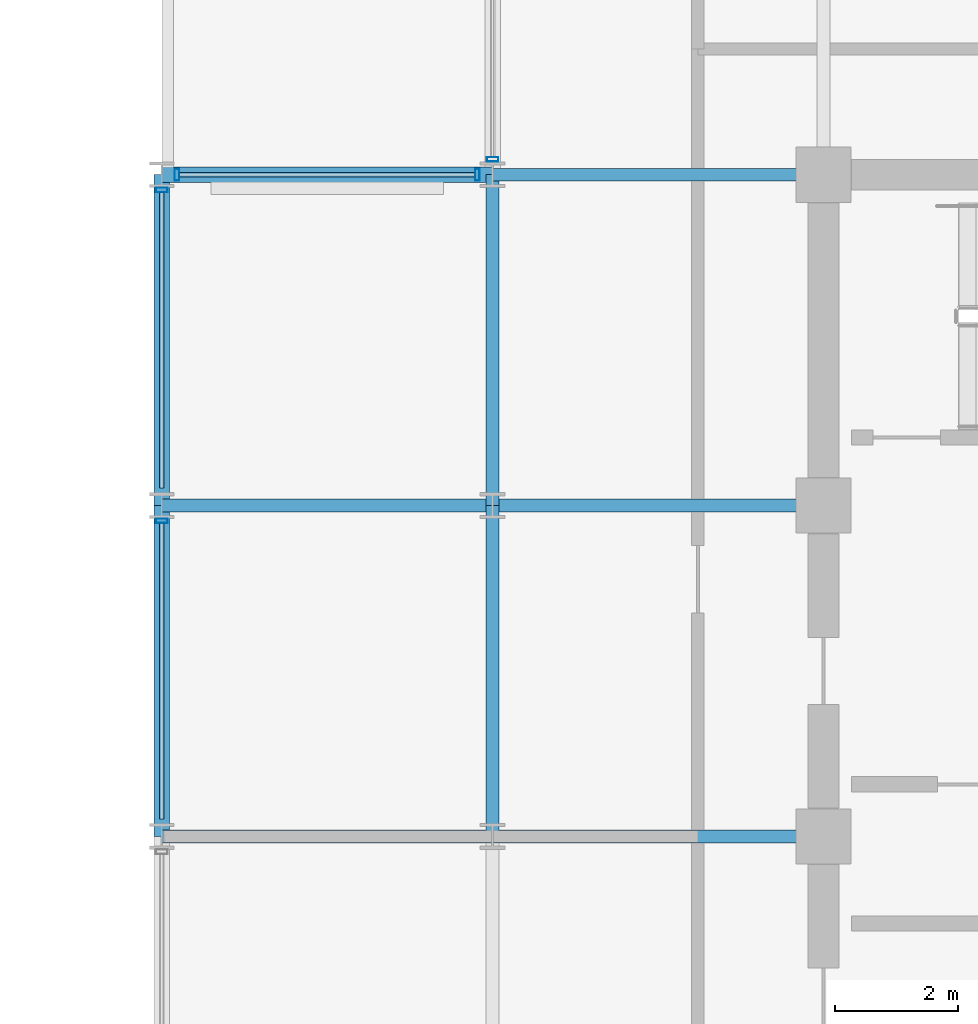
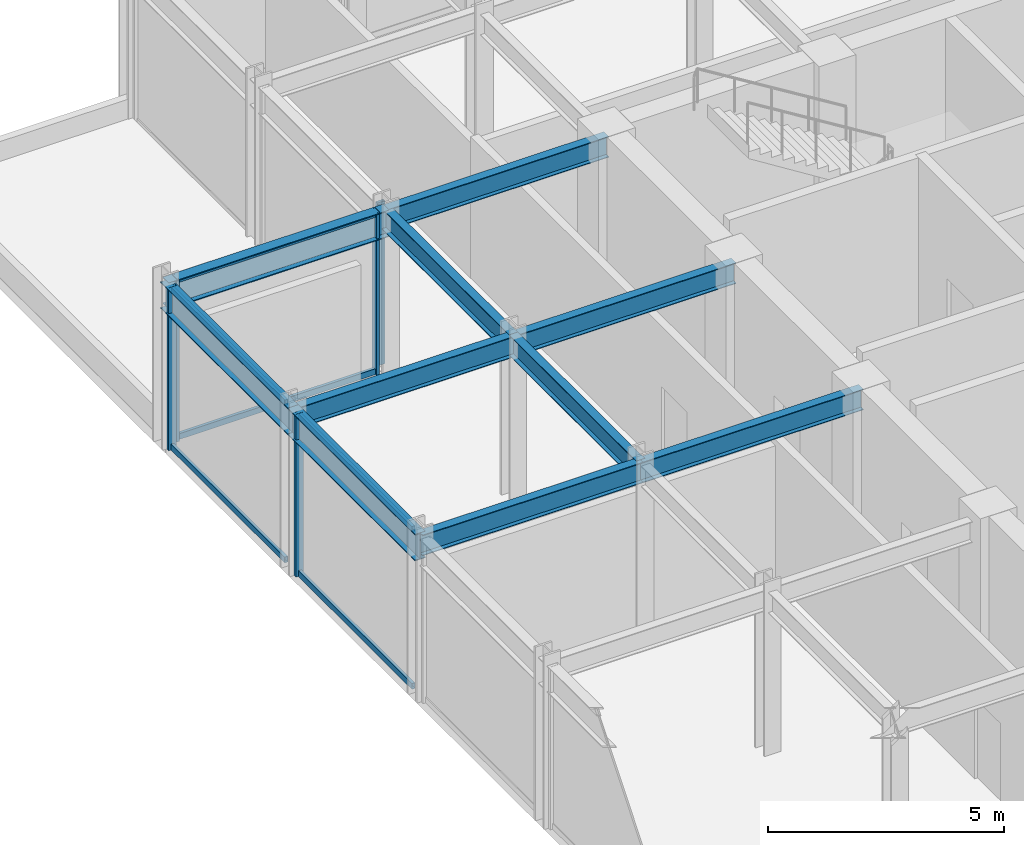
# One storey, part 6 of 22: 11 members, 10 beams, 3 elements without a shape of their own.
"""IFC4 building model written with IfcOpenShell, lengths in metres."""

from ifc_helpers import new_model, si_unit, direction, frame, origin, origin_2d, place, context, subcontext, project, spatial, hollow_rectangle, i_section, extrude, material, layer, layer_set, material_profile, profile_set, type_object, element, aggregate, save


model = new_model("IFC4")

# Units and contexts
model_context = context("Model", 3, precision=1e-05, world=origin(), true_north=direction((0.0, 1.0)))
body_context = subcontext(model_context, "Body", "Model", "MODEL_VIEW")
ifc_project = project(units=[si_unit("LENGTHUNIT", "METRE"), si_unit("AREAUNIT", "SQUARE_METRE"), si_unit("VOLUMEUNIT", "CUBIC_METRE"), si_unit("PLANEANGLEUNIT", "RADIAN"), si_unit("MASSUNIT", "GRAM", prefix="KILO")], contexts=[model_context])

# Site, building, storey
site_placement = place(None, origin())
site = spatial("IfcSite", under=ifc_project, at=site_placement, CompositionType="ELEMENT")
building_placement = place(site_placement, origin())
building = spatial("IfcBuilding", under=site, at=building_placement, Name="Surkhivell Harbour Commons", CompositionType="ELEMENT")
storey_placement = place(building_placement, frame((0.0, 0.0, 342.0)))
storey = spatial("IfcBuildingStorey", under=building, at=storey_placement, Name="L89", CompositionType="ELEMENT", Elevation=342.0)

# Beams
ifc_material_1 = material(Name="Steel S355", Category="steel")
ifc_material_profile_1 = material_profile(ifc_material_1, i_section(OverallWidth=0.2099609375, OverallDepth=0.537109375, WebThickness=0.0107421875, FlangeThickness=0.017333984375, at=origin_2d()), Name="UB533x210x101")
ifc_profile_set_1 = profile_set([ifc_material_profile_1], Name="Steel S355")
beam_type_1 = type_object("IfcBeamType", Name="BM-GRD-533B", PredefinedType="BEAM", material=ifc_profile_set_1)
for number, where, z_axis, x_axis, name in (
    (1, (-21.60009765625, 0.0, 3.951416015625), (1.0, 0.0, 0.0), (0.0, 1.0, 0.0), "L89 Floor Girder (-21.6,0.0)"),
    (2, (-21.60009765625, 5.39990234375, 3.951416015625), (1.0, 0.0, 0.0), (0.0, 1.0, 0.0), "L89 Floor Girder (-21.6,5.4)"),
):
    element("IfcBeam", number, at=place(storey_placement, frame(where, z_axis=z_axis, x_axis=x_axis)), inside=storey, type_object=beam_type_1, Name=name, PredefinedType="BEAM", context=body_context, shape_type="SweptSolid", body=[
        extrude(i_section(OverallWidth=0.2099609375, OverallDepth=0.537109375, WebThickness=0.0107421875, FlangeThickness=0.017333984375, at=origin_2d()), origin(), (0.0, 0.0, 1.0), 5.400146484375),
    ])
for number, where, z_axis, x_axis, name in (
    (3, (-16.199951171875, 0.0, 3.951416015625), (0.0, 1.0, 0.0), (-1.0, 0.0, 0.0), "L89 Floor Girder (-16.2,0.0)"),
    (4, (-16.199951171875, 0.0, 3.951416015625), (1.0, 0.0, 0.0), (0.0, 1.0, 0.0), "L89 Floor Girder (-16.2,0.0)"),
):
    element("IfcBeam", number, at=place(storey_placement, frame(where, z_axis=z_axis, x_axis=x_axis)), inside=storey, type_object=beam_type_1, Name=name, PredefinedType="BEAM", context=body_context, shape_type="SweptSolid", body=[
        extrude(i_section(OverallWidth=0.2099609375, OverallDepth=0.537109375, WebThickness=0.0107421875, FlangeThickness=0.017333984375, at=origin_2d()), origin(), (0.0, 0.0, 1.0), 5.39990234375),
    ])
beam_1_placement = place(storey_placement, frame((-16.199951171875, 5.39990234375, 3.951416015625), z_axis=(0.0, 1.0, 0.0), x_axis=(-1.0, 0.0, 0.0)))
element("IfcBeam", 5, at=beam_1_placement, inside=storey, type_object=beam_type_1, Name="L89 Floor Girder (-16.2,5.4)", PredefinedType="BEAM", context=body_context, shape_type="SweptSolid", body=[
    extrude(i_section(OverallWidth=0.2099609375, OverallDepth=0.537109375, WebThickness=0.0107421875, FlangeThickness=0.017333984375, at=origin_2d()), origin(), (0.0, 0.0, 1.0), 5.400146484375),
])
for number, where, z_axis, x_axis, name in (
    (6, (-16.199951171875, 5.39990234375, 3.951416015625), (1.0, 0.0, 0.0), (0.0, 1.0, 0.0), "L89 Floor Girder (-16.2,5.4)"),
    (7, (-16.199951171875, 10.800048828125, 3.951416015625), (1.0, 0.0, 0.0), (0.0, 1.0, 0.0), "L89 Floor Girder (-16.2,10.8)"),
):
    element("IfcBeam", number, at=place(storey_placement, frame(where, z_axis=z_axis, x_axis=x_axis)), inside=storey, type_object=beam_type_1, Name=name, PredefinedType="BEAM", context=body_context, shape_type="SweptSolid", body=[
        extrude(i_section(OverallWidth=0.2099609375, OverallDepth=0.537109375, WebThickness=0.0107421875, FlangeThickness=0.017333984375, at=origin_2d()), origin(), (0.0, 0.0, 1.0), 5.39990234375),
    ])
ifc_material_profile_2 = material_profile(ifc_material_1, i_section(OverallWidth=0.256103515625, OverallDepth=0.693115234375, WebThickness=0.014404296875, FlangeThickness=0.023681640625, at=origin_2d()), Name="UB686x254x170")
ifc_profile_set_2 = profile_set([ifc_material_profile_2], Name="Steel S355")
beam_type_2 = type_object("IfcBeamType", Name="BM-SPN-686", PredefinedType="SPANDREL", material=ifc_profile_set_2)
beam_2_placement = place(storey_placement, frame((-21.60009765625, 0.0, 3.87353515625), z_axis=(0.0, 1.0, 0.0), x_axis=(-1.0, 0.0, 0.0)))
element("IfcBeam", 8, at=beam_2_placement, inside=storey, type_object=beam_type_2, Name="L89 Tube Spandrel (-21.6,0.0)", PredefinedType="SPANDREL", context=body_context, shape_type="SweptSolid", body=[
    extrude(i_section(OverallWidth=0.256103515625, OverallDepth=0.693115234375, WebThickness=0.014404296875, FlangeThickness=0.023681640625, at=origin_2d()), origin(), (0.0, 0.0, 1.0), 5.39990234375),
])
for number, where, z_axis, x_axis, name in (
    (9, (-21.60009765625, 5.39990234375, 3.87353515625), (0.0, 1.0, 0.0), (-1.0, 0.0, 0.0), "L89 Tube Spandrel (-21.6,5.4)"),
    (10, (-21.60009765625, 10.800048828125, 3.87353515625), (1.0, 0.0, 0.0), (0.0, 1.0, 0.0), "L89 Tube Spandrel (-21.6,10.8)"),
):
    element("IfcBeam", number, at=place(storey_placement, frame(where, z_axis=z_axis, x_axis=x_axis)), inside=storey, type_object=beam_type_2, Name=name, PredefinedType="SPANDREL", context=body_context, shape_type="SweptSolid", body=[
        extrude(i_section(OverallWidth=0.256103515625, OverallDepth=0.693115234375, WebThickness=0.014404296875, FlangeThickness=0.023681640625, at=origin_2d()), origin(), (0.0, 0.0, 1.0), 5.400146484375),
    ])

# Curtain wall, member
ifc_material_2 = material(Name="Anodised pale-metal aluminium and insulated glazing", Category="aluminium")
ifc_layer = layer(ifc_material_2, 0.22998046875)
ifc_layer_set = layer_set([ifc_layer], Name="Anodised pale-metal aluminium and insulated glazing")
curtain_wall_type = type_object("IfcCurtainWallType", Name="CW-SYS-CRN", PredefinedType="NOTDEFINED", material=ifc_layer_set)
curtain_wall_1_placement = place(storey_placement, origin())
curtain_wall_1 = element("IfcCurtainWall", 11, at=curtain_wall_1_placement, inside=storey, type_object=curtain_wall_type, Name="L89 Curtain Wall CW-L89-C00S1", PredefinedType="NOTDEFINED")
ifc_material_3 = material(Name="Anodised pale-metal aluminium alloy 6063-T6", Category="aluminium")
ifc_material_profile_3 = material_profile(ifc_material_3, hollow_rectangle(XDim=0.074951171875, YDim=0.18994140625, WallThickness=0.00390625, at=origin_2d()), Name="ALU-MULL-75x190")
ifc_profile_set_3 = profile_set([ifc_material_profile_3], Name="Anodised pale-metal aluminium alloy 6063-T6")
member_type_1 = type_object("IfcMemberType", Name="CWM-190", PredefinedType="MULLION", material=ifc_profile_set_3)
member_1_placement = place(storey_placement, frame((-16.199951171875, 11.049560546875, 0.0), z_axis=(0.0, 0.0, 1.0), x_axis=(0.0, -1.0, 0.0)))
member_1 = element("IfcMember", 12, at=member_1_placement, type_object=member_type_1, Name="CW-CRN mullion 3", PredefinedType="MULLION", context=body_context, shape_type="SweptSolid", body=[
    extrude(hollow_rectangle(XDim=0.074951171875, YDim=0.18994140625, WallThickness=0.00390625, at=origin_2d()), origin(), (0.0, 0.0, 1.0), 4.219970703125),
])
aggregate(curtain_wall_1, [member_1])

# Curtain wall, members
curtain_wall_2_placement = place(storey_placement, origin())
curtain_wall_2 = element("IfcCurtainWall", 13, at=curtain_wall_2_placement, inside=storey, type_object=curtain_wall_type, Name="L89 Curtain Wall CW-L89-C01", PredefinedType="NOTDEFINED")
member_2_placement = place(storey_placement, frame((-16.449462890625, 10.800048828125, 0.0), z_axis=(0.0, 0.0, 1.0), x_axis=(-1.0, 0.0, 0.0)))
member_2 = element("IfcMember", 14, at=member_2_placement, type_object=member_type_1, Name="CW-CRN mullion 1", PredefinedType="MULLION", context=body_context, shape_type="SweptSolid", body=[
    extrude(hollow_rectangle(XDim=0.074951171875, YDim=0.18994140625, WallThickness=0.00390625, at=origin_2d()), origin(), (0.0, 0.0, 1.0), 4.219970703125),
])
member_3_placement = place(storey_placement, frame((-21.3505859375, 10.800048828125, 0.0), z_axis=(0.0, 0.0, 1.0), x_axis=(-1.0, 0.0, 0.0)))
member_3 = element("IfcMember", 15, at=member_3_placement, type_object=member_type_1, Name="CW-CRN mullion 2", PredefinedType="MULLION", context=body_context, shape_type="SweptSolid", body=[
    extrude(hollow_rectangle(XDim=0.074951171875, YDim=0.18994140625, WallThickness=0.00390625, at=origin_2d()), origin(), (0.0, 0.0, 1.0), 4.219970703125),
])

curtain_wall_3_placement = place(storey_placement, origin())
curtain_wall_3 = element("IfcCurtainWall", 16, at=curtain_wall_3_placement, inside=storey, type_object=curtain_wall_type, Name="L89 Curtain Wall CW-L89-C02S1", PredefinedType="NOTDEFINED")
member_4_placement = place(storey_placement, frame((-21.60009765625, 10.550537109375, 0.0), z_axis=(0.0, 0.0, 1.0), x_axis=(0.0, -1.0, 0.0)))
member_4 = element("IfcMember", 17, at=member_4_placement, type_object=member_type_1, Name="CW-CRN mullion 1", PredefinedType="MULLION", context=body_context, shape_type="SweptSolid", body=[
    extrude(hollow_rectangle(XDim=0.074951171875, YDim=0.18994140625, WallThickness=0.00390625, at=origin_2d()), origin(), (0.0, 0.0, 1.0), 4.219970703125),
])
member_5_placement = place(storey_placement, frame((-21.60009765625, 5.150390625, 0.0), z_axis=(0.0, 0.0, 1.0), x_axis=(0.0, -1.0, 0.0)))
member_5 = element("IfcMember", 18, at=member_5_placement, type_object=member_type_1, Name="CW-CRN mullion 2", PredefinedType="MULLION", context=body_context, shape_type="SweptSolid", body=[
    extrude(hollow_rectangle(XDim=0.074951171875, YDim=0.18994140625, WallThickness=0.00390625, at=origin_2d()), origin(), (0.0, 0.0, 1.0), 4.219970703125),
])

# Member
ifc_material_profile_4 = material_profile(ifc_material_3, hollow_rectangle(XDim=0.074951171875, YDim=0.14990234375, WallThickness=0.00341796875, at=origin_2d()), Name="ALU-TRAN-75x150")
ifc_profile_set_4 = profile_set([ifc_material_profile_4], Name="Anodised pale-metal aluminium alloy 6063-T6")
member_type_2 = type_object("IfcMemberType", Name="CWT-150", PredefinedType="USERDEFINED", material=ifc_profile_set_4)
member_6_placement = place(storey_placement, frame((-16.487060546875, 10.800048828125, 0.074951171875), z_axis=(-1.0, 0.0, 0.0), x_axis=(0.0, -1.0, 0.0)))
member_6 = element("IfcMember", 19, at=member_6_placement, type_object=member_type_2, Name="CW-CRN transom 1.1", ObjectType="TRANSOM", PredefinedType="USERDEFINED", context=body_context, shape_type="SweptSolid", body=[
    extrude(hollow_rectangle(XDim=0.074951171875, YDim=0.14990234375, WallThickness=0.00341796875, at=origin_2d()), origin(), (0.0, 0.0, 1.0), 4.825927734375),
])

member_7_placement = place(storey_placement, frame((-16.487060546875, 10.800048828125, 4.14501953125), z_axis=(-1.0, 0.0, 0.0), x_axis=(0.0, -1.0, 0.0)))
member_7 = element("IfcMember", 20, at=member_7_placement, type_object=member_type_2, Name="CW-CRN transom 1.2", ObjectType="TRANSOM", PredefinedType="USERDEFINED", context=body_context, shape_type="SweptSolid", body=[
    extrude(hollow_rectangle(XDim=0.074951171875, YDim=0.14990234375, WallThickness=0.00341796875, at=origin_2d()), origin(), (0.0, 0.0, 1.0), 4.825927734375),
])

aggregate(curtain_wall_2, [member_2, member_3, member_6, member_7])

member_8_placement = place(storey_placement, frame((-21.60009765625, 10.512939453125, 0.074951171875), z_axis=(0.0, -1.0, 0.0), x_axis=(1.0, 0.0, 0.0)))
member_8 = element("IfcMember", 21, at=member_8_placement, type_object=member_type_2, Name="CW-CRN transom 1.1", ObjectType="TRANSOM", PredefinedType="USERDEFINED", context=body_context, shape_type="SweptSolid", body=[
    extrude(hollow_rectangle(XDim=0.074951171875, YDim=0.14990234375, WallThickness=0.00341796875, at=origin_2d()), origin(), (0.0, 0.0, 1.0), 4.825927734375),
])

member_9_placement = place(storey_placement, frame((-21.60009765625, 10.512939453125, 4.14501953125), z_axis=(0.0, -1.0, 0.0), x_axis=(1.0, 0.0, 0.0)))
member_9 = element("IfcMember", 22, at=member_9_placement, type_object=member_type_2, Name="CW-CRN transom 1.2", ObjectType="TRANSOM", PredefinedType="USERDEFINED", context=body_context, shape_type="SweptSolid", body=[
    extrude(hollow_rectangle(XDim=0.074951171875, YDim=0.14990234375, WallThickness=0.00341796875, at=origin_2d()), origin(), (0.0, 0.0, 1.0), 4.825927734375),
])

member_10_placement = place(storey_placement, frame((-21.60009765625, 5.113037109375, 0.074951171875), z_axis=(0.0, -1.0, 0.0), x_axis=(1.0, 0.0, 0.0)))
member_10 = element("IfcMember", 23, at=member_10_placement, type_object=member_type_2, Name="CW-CRN transom 2.1", ObjectType="TRANSOM", PredefinedType="USERDEFINED", context=body_context, shape_type="SweptSolid", body=[
    extrude(hollow_rectangle(XDim=0.074951171875, YDim=0.14990234375, WallThickness=0.00341796875, at=origin_2d()), origin(), (0.0, 0.0, 1.0), 4.825927734375),
])

member_11_placement = place(storey_placement, frame((-21.60009765625, 5.113037109375, 4.14501953125), z_axis=(0.0, -1.0, 0.0), x_axis=(1.0, 0.0, 0.0)))
member_11 = element("IfcMember", 24, at=member_11_placement, type_object=member_type_2, Name="CW-CRN transom 2.2", ObjectType="TRANSOM", PredefinedType="USERDEFINED", context=body_context, shape_type="SweptSolid", body=[
    extrude(hollow_rectangle(XDim=0.074951171875, YDim=0.14990234375, WallThickness=0.00341796875, at=origin_2d()), origin(), (0.0, 0.0, 1.0), 4.825927734375),
])

aggregate(curtain_wall_3, [member_4, member_8, member_9, member_5, member_10, member_11])

save(model, "model.ifc")
